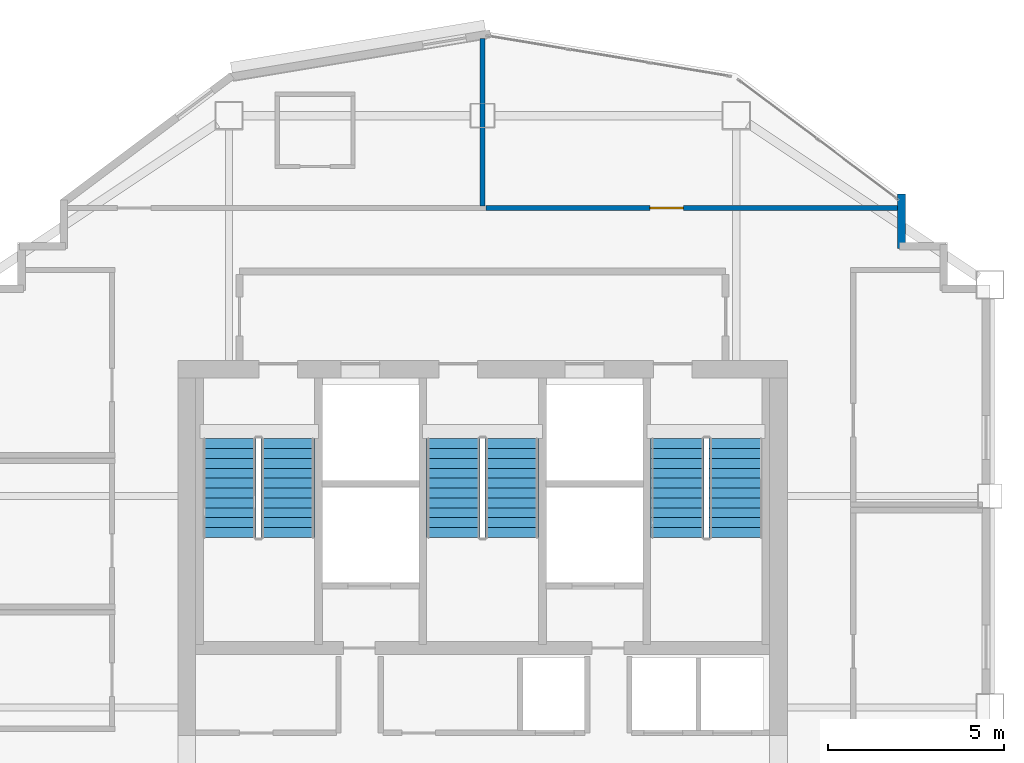
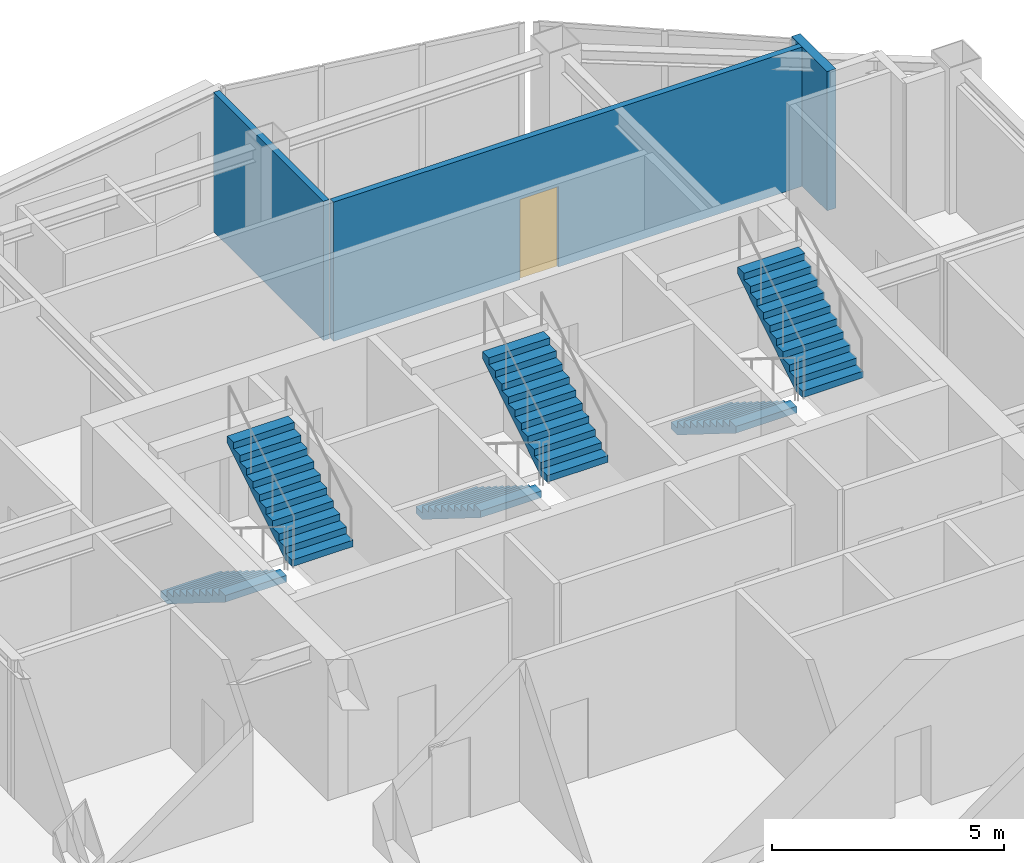
# One storey, part 8 of 10: 6 stair flights, 3 walls, 1 door, 1 opening, 3 elements without a shape of their own.
"""IFC4 building model written with IfcOpenShell, lengths in metres."""

from ifc_helpers import new_model, si_unit, direction, frame, frame_2d, origin, place, context, subcontext, project, spatial, polyline, rectangle, outline, extrude, material, layer, layer_set, type_object, element, fill, aggregate, save


model = new_model("IFC4")

# Units and contexts
model_context = context("Model", 3, precision=1e-05, world=origin(), true_north=direction((0.0, 1.0)))
body_context = subcontext(model_context, "Body", "Model", "MODEL_VIEW")
ifc_project = project(units=[si_unit("LENGTHUNIT", "METRE"), si_unit("AREAUNIT", "SQUARE_METRE"), si_unit("VOLUMEUNIT", "CUBIC_METRE"), si_unit("PLANEANGLEUNIT", "RADIAN"), si_unit("MASSUNIT", "GRAM", prefix="KILO")], contexts=[model_context])

# Site, building, storey
site_placement = place(None, origin())
site = spatial("IfcSite", under=ifc_project, at=site_placement, CompositionType="ELEMENT")
building_placement = place(site_placement, origin())
building = spatial("IfcBuilding", under=site, at=building_placement, Name="Haolan Belvedere Tower", CompositionType="ELEMENT")
storey_placement = place(building_placement, frame((0.0, 0.0, 246.75)))
storey = spatial("IfcBuildingStorey", under=building, at=storey_placement, Name="L62", CompositionType="ELEMENT", Elevation=246.75)

# Walls
ifc_material_1 = material(Name="Precast concrete C40/50", Category="concrete")
ifc_layer_1 = layer(ifc_material_1, 0.219970703125, Name="Precast concrete C40/50")
ifc_layer_set_1 = layer_set([ifc_layer_1], Name="Precast concrete C40/50")
wall_type_1 = type_object("IfcWallType", Name="WL-EXT-220", PredefinedType="SOLIDWALL", material=ifc_layer_set_1)
wall_1_placement = place(storey_placement, frame((50.2900390625, 46.635009765625, 0.0), z_axis=(0.0, 0.0, 1.0), x_axis=(0.0, 1.0, 0.0)))
element("IfcWall", 1, at=wall_1_placement, inside=storey, type_object=wall_type_1, Name="L62 pale-metal exterior spandrel wall 7.1", PredefinedType="SOLIDWALL", context=body_context, shape_type="SweptSolid", body=[
    extrude(rectangle(XDim=1.534912109375, YDim=0.219970703125, at=frame_2d((0.767578125, 0.0))), origin(), (0.0, 0.0, 1.0), 3.669921875),
])
ifc_material_2 = material(Name="Double gypsum acoustic stud partition", Category="masonry")
ifc_layer_2 = layer(ifc_material_2, 0.14990234375, Name="Double gypsum acoustic stud partition")
ifc_layer_set_2 = layer_set([ifc_layer_2], Name="Double gypsum acoustic stud partition")
wall_type_2 = type_object("IfcWallType", Name="WL-PART-150", PredefinedType="PARTITIONING", material=ifc_layer_set_2)
wall_2_placement = place(storey_placement, frame((38.39990234375, 47.840087890625, 0.0), z_axis=(0.0, 0.0, 1.0), x_axis=(0.0, 1.0, 0.0)))
element("IfcWall", 2, at=wall_2_placement, inside=storey, type_object=wall_type_2, Name="L62 interior partition IW-L62-KN1-E", PredefinedType="PARTITIONING", context=body_context, shape_type="SweptSolid", body=[
    extrude(rectangle(XDim=4.7451171875, YDim=0.14990234375, at=frame_2d((2.37255859375, 0.0))), origin(), (0.0, 0.0, 1.0), 3.669921875),
])

# Wall, opening, door
wall_3_placement = place(storey_placement, frame((38.501953125, 47.780029296875, 0.0), z_axis=(0.0, 0.0, 1.0), x_axis=(1.0, 0.0, 0.0)))
wall_3 = element("IfcWall", 3, at=wall_3_placement, inside=storey, type_object=wall_type_2, Name="L62 interior partition IW-L62-KN2-S", PredefinedType="PARTITIONING", context=body_context, shape_type="SweptSolid", body=[
    extrude(rectangle(XDim=11.68603515625, YDim=0.14990234375, at=frame_2d((5.843017578125, 0.0))), origin(), (0.0, 0.0, 1.0), 3.669921875),
])
opening_placement = place(wall_3_placement, frame((4.64794921875, 0.0, 0.0)))
opening = element("IfcOpeningElement", 4, at=opening_placement, cuts=wall_3, Name="Opening ID-03", PredefinedType="OPENING", context=body_context, shape_type="SweptSolid", body=[
    extrude(rectangle(XDim=0.949951171875, YDim=2.1201171875, at=frame_2d((0.47509765625, 1.06005859375))), frame((0.0, 0.0849609375, 0.0), z_axis=(0.0, -1.0, 0.0), x_axis=(1.0, 0.0, 0.0)), (0.0, 0.0, 1.0), 0.169921875),
])
ifc_material_3 = material(Name="Painted solid-core timber", Category="wood")
door_type = type_object("IfcDoorType", Name="DR-INT-950", OperationType="NOTDEFINED", PredefinedType="DOOR", material=ifc_material_3)
door_placement = place(opening_placement, origin())
door = element("IfcDoor", 5, at=door_placement, inside=storey, type_object=door_type, Name="L62 door ID-L62-KN2", OperationType="SINGLE_SWING_RIGHT", OverallHeight=2.1201171875, OverallWidth=0.949951171875, PredefinedType="DOOR", context=body_context, shape_type="SweptSolid", body=[
    extrude(rectangle(XDim=0.949951171875, YDim=2.1201171875, at=frame_2d((0.47509765625, 1.06005859375))), frame((0.0, 0.02490234375, 0.0), z_axis=(0.0, -1.0, 0.0), x_axis=(1.0, 0.0, 0.0)), (0.0, 0.0, 1.0), 0.050048828125),
])
fill(opening, door)

# Stair, stair flights
ifc_material_4 = material(Name="Concrete C40/50", Category="concrete")
stair_type = type_object("IfcStairType", Name="STR-DL-22R-175", PredefinedType="HALF_TURN_STAIR", material=ifc_material_4)
stair_1_placement = place(storey_placement, origin())
stair_1 = element("IfcStair", 6, at=stair_1_placement, inside=storey, type_object=stair_type, Name="L62 Smokeproof Core Exit Stair ST1", PredefinedType="HALF_TURN_STAIR")
stair_flight_type = type_object("IfcStairFlightType", Name="SFL-DL-11R-175", PredefinedType="STRAIGHT", material=ifc_material_4)
stair_flight_1_placement = place(storey_placement, frame((31.2099609375, 41.22998046875, 0.0), z_axis=(0.0, 0.0, 1.0), x_axis=(0.0, -1.0, 0.0)))
stair_flight_1 = element("IfcStairFlight", 7, at=stair_flight_1_placement, type_object=stair_flight_type, Name="ST1 flight 1", NumberOfRisers=11, NumberOfTreads=10, PredefinedType="STRAIGHT", RiserHeight=0.175, TreadLength=0.28, context=body_context, shape_type="SweptSolid", body=[
    extrude(outline(polyline([(0.0, 0.0), (0.0, 0.175048828125), (0.280029296875, 0.175048828125), (0.280029296875, 0.35009765625), (0.56005859375, 0.35009765625), (0.56005859375, 0.52490234375), (0.840087890625, 0.52490234375), (0.840087890625, 0.699951171875), (1.1201171875, 0.699951171875), (1.1201171875, 0.875), (1.39990234375, 0.875), (1.39990234375, 1.050048828125), (1.679931640625, 1.050048828125), (1.679931640625, 1.22509765625), (1.9599609375, 1.22509765625), (1.9599609375, 1.39990234375), (2.239990234375, 1.39990234375), (2.239990234375, 1.574951171875), (2.52001953125, 1.574951171875), (2.52001953125, 1.75), (2.800048828125, 1.75), (2.800048828125, 1.925048828125), (2.800048828125, 1.5732421875), (0.28271484375, 0.0), (0.0, 0.0)])), frame((0.0, 0.760009765625, 0.0), z_axis=(0.0, -1.0, 0.0), x_axis=(1.0, 0.0, 0.0)), (0.0, 0.0, 1.0), 1.52001953125),
])
stair_flight_2_placement = place(storey_placement, frame((32.8701171875, 38.429931640625, 1.925048828125), z_axis=(0.0, 0.0, 1.0), x_axis=(0.0, 1.0, 0.0)))
stair_flight_2 = element("IfcStairFlight", 8, at=stair_flight_2_placement, type_object=stair_flight_type, Name="ST1 flight 2", NumberOfRisers=11, NumberOfTreads=10, PredefinedType="STRAIGHT", RiserHeight=0.175, TreadLength=0.28, context=body_context, shape_type="SweptSolid", body=[
    extrude(outline(polyline([(0.0, 0.0), (0.0, 0.175048828125), (0.280029296875, 0.175048828125), (0.280029296875, 0.35009765625), (0.56005859375, 0.35009765625), (0.56005859375, 0.52490234375), (0.840087890625, 0.52490234375), (0.840087890625, 0.699951171875), (1.1201171875, 0.699951171875), (1.1201171875, 0.875), (1.39990234375, 0.875), (1.39990234375, 1.050048828125), (1.679931640625, 1.050048828125), (1.679931640625, 1.22509765625), (1.9599609375, 1.22509765625), (1.9599609375, 1.39990234375), (2.239990234375, 1.39990234375), (2.239990234375, 1.574951171875), (2.52001953125, 1.574951171875), (2.52001953125, 1.75), (2.800048828125, 1.75), (2.800048828125, 1.925048828125), (2.800048828125, 1.5732421875), (0.28271484375, 0.0), (0.0, 0.0)])), frame((0.0, 0.760009765625, 0.0), z_axis=(0.0, -1.0, 0.0), x_axis=(1.0, 0.0, 0.0)), (0.0, 0.0, 1.0), 1.52001953125),
])
aggregate(stair_1, [stair_flight_1, stair_flight_2])

stair_2_placement = place(storey_placement, origin())
stair_2 = element("IfcStair", 9, at=stair_2_placement, inside=storey, type_object=stair_type, Name="L62 Smokeproof Core Exit Stair ST3", PredefinedType="HALF_TURN_STAIR")
stair_flight_3_placement = place(storey_placement, frame((37.570068359375, 41.22998046875, 0.0), z_axis=(0.0, 0.0, 1.0), x_axis=(0.0, -1.0, 0.0)))
stair_flight_3 = element("IfcStairFlight", 10, at=stair_flight_3_placement, type_object=stair_flight_type, Name="ST3 flight 1", NumberOfRisers=11, NumberOfTreads=10, PredefinedType="STRAIGHT", RiserHeight=0.175, TreadLength=0.28, context=body_context, shape_type="SweptSolid", body=[
    extrude(outline(polyline([(0.0, 0.0), (0.0, 0.175048828125), (0.280029296875, 0.175048828125), (0.280029296875, 0.35009765625), (0.56005859375, 0.35009765625), (0.56005859375, 0.52490234375), (0.840087890625, 0.52490234375), (0.840087890625, 0.699951171875), (1.1201171875, 0.699951171875), (1.1201171875, 0.875), (1.39990234375, 0.875), (1.39990234375, 1.050048828125), (1.679931640625, 1.050048828125), (1.679931640625, 1.22509765625), (1.9599609375, 1.22509765625), (1.9599609375, 1.39990234375), (2.239990234375, 1.39990234375), (2.239990234375, 1.574951171875), (2.52001953125, 1.574951171875), (2.52001953125, 1.75), (2.800048828125, 1.75), (2.800048828125, 1.925048828125), (2.800048828125, 1.5732421875), (0.28271484375, 0.0), (0.0, 0.0)])), frame((0.0, 0.760009765625, 0.0), z_axis=(0.0, -1.0, 0.0), x_axis=(1.0, 0.0, 0.0)), (0.0, 0.0, 1.0), 1.52001953125),
])
stair_flight_4_placement = place(storey_placement, frame((39.22998046875, 38.429931640625, 1.925048828125), z_axis=(0.0, 0.0, 1.0), x_axis=(0.0, 1.0, 0.0)))
stair_flight_4 = element("IfcStairFlight", 11, at=stair_flight_4_placement, type_object=stair_flight_type, Name="ST3 flight 2", NumberOfRisers=11, NumberOfTreads=10, PredefinedType="STRAIGHT", RiserHeight=0.175, TreadLength=0.28, context=body_context, shape_type="SweptSolid", body=[
    extrude(outline(polyline([(0.0, 0.0), (0.0, 0.175048828125), (0.280029296875, 0.175048828125), (0.280029296875, 0.35009765625), (0.56005859375, 0.35009765625), (0.56005859375, 0.52490234375), (0.840087890625, 0.52490234375), (0.840087890625, 0.699951171875), (1.1201171875, 0.699951171875), (1.1201171875, 0.875), (1.39990234375, 0.875), (1.39990234375, 1.050048828125), (1.679931640625, 1.050048828125), (1.679931640625, 1.22509765625), (1.9599609375, 1.22509765625), (1.9599609375, 1.39990234375), (2.239990234375, 1.39990234375), (2.239990234375, 1.574951171875), (2.52001953125, 1.574951171875), (2.52001953125, 1.75), (2.800048828125, 1.75), (2.800048828125, 1.925048828125), (2.800048828125, 1.5732421875), (0.28271484375, 0.0), (0.0, 0.0)])), frame((0.0, 0.760009765625, 0.0), z_axis=(0.0, -1.0, 0.0), x_axis=(1.0, 0.0, 0.0)), (0.0, 0.0, 1.0), 1.52001953125),
])
aggregate(stair_2, [stair_flight_3, stair_flight_4])

stair_3_placement = place(storey_placement, origin())
stair_3 = element("IfcStair", 12, at=stair_3_placement, inside=storey, type_object=stair_type, Name="L62 Smokeproof Core Exit Stair ST2", PredefinedType="HALF_TURN_STAIR")
stair_flight_5_placement = place(storey_placement, frame((43.929931640625, 41.22998046875, 0.0), z_axis=(0.0, 0.0, 1.0), x_axis=(0.0, -1.0, 0.0)))
stair_flight_5 = element("IfcStairFlight", 13, at=stair_flight_5_placement, type_object=stair_flight_type, Name="ST2 flight 1", NumberOfRisers=11, NumberOfTreads=10, PredefinedType="STRAIGHT", RiserHeight=0.175, TreadLength=0.28, context=body_context, shape_type="SweptSolid", body=[
    extrude(outline(polyline([(0.0, 0.0), (0.0, 0.175048828125), (0.280029296875, 0.175048828125), (0.280029296875, 0.35009765625), (0.56005859375, 0.35009765625), (0.56005859375, 0.52490234375), (0.840087890625, 0.52490234375), (0.840087890625, 0.699951171875), (1.1201171875, 0.699951171875), (1.1201171875, 0.875), (1.39990234375, 0.875), (1.39990234375, 1.050048828125), (1.679931640625, 1.050048828125), (1.679931640625, 1.22509765625), (1.9599609375, 1.22509765625), (1.9599609375, 1.39990234375), (2.239990234375, 1.39990234375), (2.239990234375, 1.574951171875), (2.52001953125, 1.574951171875), (2.52001953125, 1.75), (2.800048828125, 1.75), (2.800048828125, 1.925048828125), (2.800048828125, 1.5732421875), (0.28271484375, 0.0), (0.0, 0.0)])), frame((0.0, 0.760009765625, 0.0), z_axis=(0.0, -1.0, 0.0), x_axis=(1.0, 0.0, 0.0)), (0.0, 0.0, 1.0), 1.52001953125),
])
stair_flight_6_placement = place(storey_placement, frame((45.590087890625, 38.429931640625, 1.925048828125), z_axis=(0.0, 0.0, 1.0), x_axis=(0.0, 1.0, 0.0)))
stair_flight_6 = element("IfcStairFlight", 14, at=stair_flight_6_placement, type_object=stair_flight_type, Name="ST2 flight 2", NumberOfRisers=11, NumberOfTreads=10, PredefinedType="STRAIGHT", RiserHeight=0.175, TreadLength=0.28, context=body_context, shape_type="SweptSolid", body=[
    extrude(outline(polyline([(0.0, 0.0), (0.0, 0.175048828125), (0.280029296875, 0.175048828125), (0.280029296875, 0.35009765625), (0.56005859375, 0.35009765625), (0.56005859375, 0.52490234375), (0.840087890625, 0.52490234375), (0.840087890625, 0.699951171875), (1.1201171875, 0.699951171875), (1.1201171875, 0.875), (1.39990234375, 0.875), (1.39990234375, 1.050048828125), (1.679931640625, 1.050048828125), (1.679931640625, 1.22509765625), (1.9599609375, 1.22509765625), (1.9599609375, 1.39990234375), (2.239990234375, 1.39990234375), (2.239990234375, 1.574951171875), (2.52001953125, 1.574951171875), (2.52001953125, 1.75), (2.800048828125, 1.75), (2.800048828125, 1.925048828125), (2.800048828125, 1.5732421875), (0.28271484375, 0.0), (0.0, 0.0)])), frame((0.0, 0.760009765625, 0.0), z_axis=(0.0, -1.0, 0.0), x_axis=(1.0, 0.0, 0.0)), (0.0, 0.0, 1.0), 1.52001953125),
])
aggregate(stair_3, [stair_flight_5, stair_flight_6])

save(model, "model.ifc")
